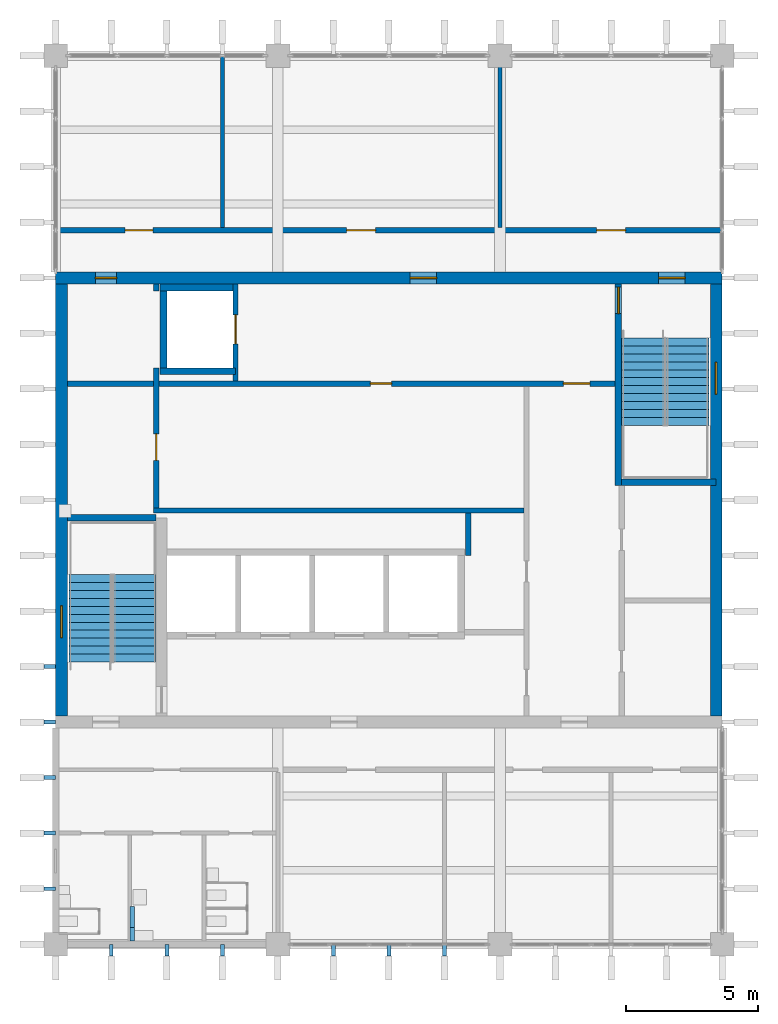
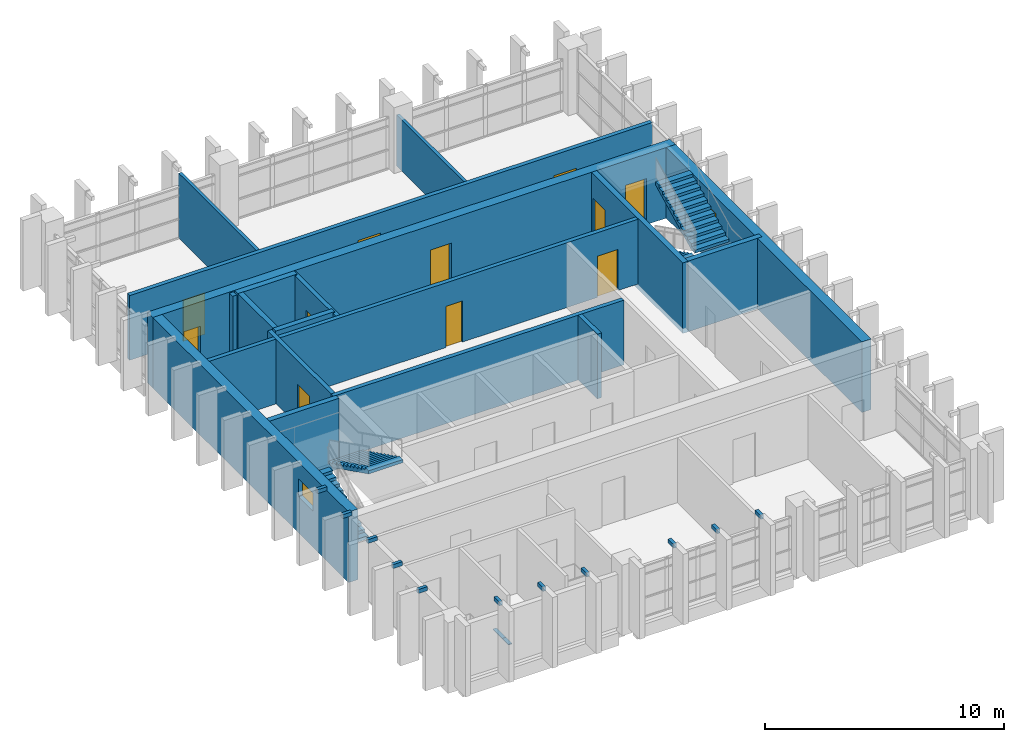
# One storey, part 8 of 11: 18 walls, 13 discrete accessories, 11 doors, 4 stair flights, 2 windows, 13 openings, 2 elements without a shape of their own.
"""IFC4 building model written with IfcOpenShell, lengths in metres."""

from ifc_helpers import new_model, si_unit, direction, frame, frame_2d, origin, origin_2d, place, context, subcontext, project, spatial, polyline, rectangle, outline, extrude, material, layer, layer_set, type_object, element, fill, aggregate, save


model = new_model("IFC4")

# Units and contexts
model_context = context("Model", 3, precision=1e-05, world=origin(), true_north=direction((0.0, 1.0)))
body_context = subcontext(model_context, "Body", "Model", "MODEL_VIEW")
ifc_project = project(units=[si_unit("LENGTHUNIT", "METRE"), si_unit("AREAUNIT", "SQUARE_METRE"), si_unit("VOLUMEUNIT", "CUBIC_METRE"), si_unit("PLANEANGLEUNIT", "RADIAN"), si_unit("MASSUNIT", "GRAM", prefix="KILO")], contexts=[model_context])

# Site, building, storey
site_placement = place(None, origin())
site = spatial("IfcSite", under=ifc_project, at=site_placement, CompositionType="ELEMENT")
building_placement = place(site_placement, origin())
building = spatial("IfcBuilding", under=site, at=building_placement, Name="Rulbaag Community and Learning Centre", CompositionType="ELEMENT")
storey_placement = place(building_placement, frame((0.0, 0.0, 32.39990234375)))
storey = spatial("IfcBuildingStorey", under=building, at=storey_placement, Name="L08", CompositionType="ELEMENT", Elevation=32.39990234375)

# Wall
ifc_material_1 = material(Name="Concrete blockwork", Category="masonry")
ifc_layer_1 = layer(ifc_material_1, 0.199951171875)
ifc_layer_set_1 = layer_set([ifc_layer_1], Name="FW-200 FIRE WALL 200")
wall_type_1 = type_object("IfcWallType", Name="FW-200 FIRE WALL 200", PredefinedType="SOLIDWALL", material=ifc_layer_set_1)
wall_1_placement = place(storey_placement, frame((146.5, 100.39990234375, 0.0), z_axis=(0.0, 0.0, 1.0), x_axis=(1.0, 0.0, 0.0)))
element("IfcWall", 1, at=wall_1_placement, inside=storey, type_object=wall_type_1, Name="Fire wall L08 8", PredefinedType="SOLIDWALL", context=body_context, shape_type="SweptSolid", body=[
    extrude(rectangle(XDim=14.0, YDim=0.199951171875, at=frame_2d((7.0, 0.0))), origin(), (0.0, 0.0, 1.0), 3.300048828125),
])

# Wall, openings, doors
wall_2_placement = place(storey_placement, frame((143.25, 105.199951171875, 0.0), z_axis=(0.0, 0.0, 1.0), x_axis=(1.0, 0.0, 0.0)))
wall_2 = element("IfcWall", 2, at=wall_2_placement, inside=storey, type_object=wall_type_1, Name="Fire wall L08 9", PredefinedType="SOLIDWALL", context=body_context, shape_type="SweptSolid", body=[
    extrude(rectangle(XDim=20.699951171875, YDim=0.199951171875, at=frame_2d((10.35009765625, 0.0))), origin(), (0.0, 0.0, 1.0), 3.300048828125),
])
opening_1_placement = place(wall_2_placement, frame((11.449951171875, 0.0, 0.0)))
opening_1 = element("IfcOpeningElement", 3, at=opening_1_placement, cuts=wall_2, Name="Opening L08-D020", PredefinedType="OPENING", context=body_context, shape_type="SweptSolid", body=[
    extrude(rectangle(XDim=0.800048828125, YDim=2.10009765625, at=frame_2d((0.39990234375, 1.050048828125))), frame((0.0, 0.10986328125, 0.0), z_axis=(0.0, -1.0, 0.0), x_axis=(1.0, 0.0, 0.0)), (0.0, 0.0, 1.0), 0.219970703125),
])
opening_2_placement = place(wall_2_placement, frame((18.75, 0.0, 0.0)))
opening_2 = element("IfcOpeningElement", 4, at=opening_2_placement, cuts=wall_2, Name="Opening L08-D027", PredefinedType="OPENING", context=body_context, shape_type="SweptSolid", body=[
    extrude(rectangle(XDim=1.0, YDim=2.10009765625, at=frame_2d((0.5, 1.050048828125))), frame((0.0, 0.10986328125, 0.0), z_axis=(0.0, -1.0, 0.0), x_axis=(1.0, 0.0, 0.0)), (0.0, 0.0, 1.0), 0.219970703125),
])
ifc_material_2 = material(Name="Galvanised steel", Category="steel")
door_type_1 = type_object("IfcDoorType", Name="FD-1000 FIRE DOOR 1000 x 2100", OperationType="SINGLE_SWING_LEFT", PredefinedType="DOOR", material=ifc_material_2)
door_1_placement = place(opening_2_placement, origin())
door_1 = element("IfcDoor", 5, at=door_1_placement, inside=storey, type_object=door_type_1, Name="Door L08-D027", OperationType="SINGLE_SWING_LEFT", OverallHeight=2.10009765625, OverallWidth=1.0, PredefinedType="DOOR", context=body_context, shape_type="SweptSolid", body=[
    extrude(rectangle(XDim=1.0, YDim=2.10009765625, at=frame_2d((0.5, 1.050048828125))), frame((0.0, 0.02490234375, 0.0), z_axis=(0.0, -1.0, 0.0), x_axis=(1.0, 0.0, 0.0)), (0.0, 0.0, 1.0), 0.050048828125),
])
fill(opening_2, door_1)
door_type_2 = type_object("IfcDoorType", Name="FDR-800 RISER FIRE DOOR 800 x 2100", OperationType="SINGLE_SWING_LEFT", PredefinedType="DOOR", material=ifc_material_2)
door_2_placement = place(opening_1_placement, origin())
door_2 = element("IfcDoor", 6, at=door_2_placement, inside=storey, type_object=door_type_2, Name="Riser door L08-D022", OperationType="SINGLE_SWING_RIGHT", OverallHeight=2.10009765625, OverallWidth=0.800048828125, PredefinedType="DOOR", context=body_context, shape_type="SweptSolid", body=[
    extrude(rectangle(XDim=0.800048828125, YDim=2.10009765625, at=frame_2d((0.39990234375, 1.050048828125))), frame((0.0, 0.02490234375, 0.0), z_axis=(0.0, -1.0, 0.0), x_axis=(1.0, 0.0, 0.0)), (0.0, 0.0, 1.0), 0.050048828125),
])
fill(opening_1, door_2)

wall_3_placement = place(storey_placement, frame((142.800048828125, 111.0, 0.0), z_axis=(0.0, 0.0, 1.0), x_axis=(1.0, 0.0, 0.0)))
wall_3 = element("IfcWall", 7, at=wall_3_placement, inside=storey, type_object=wall_type_1, Name="Fire wall L08 10", PredefinedType="SOLIDWALL", context=body_context, shape_type="SweptSolid", body=[
    extrude(rectangle(XDim=25.199951171875, YDim=0.199951171875, at=frame_2d((12.60009765625, 0.0))), origin(), (0.0, 0.0, 1.0), 3.300048828125),
])
opening_3_placement = place(wall_3_placement, frame((2.625, 0.0, 0.0)))
opening_3 = element("IfcOpeningElement", 8, at=opening_3_placement, cuts=wall_3, Name="Opening L08-D005", PredefinedType="OPENING", context=body_context, shape_type="SweptSolid", body=[
    extrude(rectangle(XDim=1.050048828125, YDim=2.10009765625, at=frame_2d((0.52490234375, 1.050048828125))), frame((0.0, 0.10986328125, 0.0), z_axis=(0.0, -1.0, 0.0), x_axis=(1.0, 0.0, 0.0)), (0.0, 0.0, 1.0), 0.219970703125),
])
opening_4_placement = place(wall_3_placement, frame((11.0, 0.0, 0.0)))
opening_4 = element("IfcOpeningElement", 9, at=opening_4_placement, cuts=wall_3, Name="Opening L08-D019", PredefinedType="OPENING", context=body_context, shape_type="SweptSolid", body=[
    extrude(rectangle(XDim=1.10009765625, YDim=2.25, at=frame_2d((0.550048828125, 1.125))), frame((0.0, 0.10986328125, 0.0), z_axis=(0.0, -1.0, 0.0), x_axis=(1.0, 0.0, 0.0)), (0.0, 0.0, 1.0), 0.219970703125),
])
opening_5_placement = place(wall_3_placement, frame((20.449951171875, 0.0, 0.0)))
opening_5 = element("IfcOpeningElement", 10, at=opening_5_placement, cuts=wall_3, Name="Opening L08-D028", PredefinedType="OPENING", context=body_context, shape_type="SweptSolid", body=[
    extrude(rectangle(XDim=1.10009765625, YDim=2.25, at=frame_2d((0.550048828125, 1.125))), frame((0.0, 0.10986328125, 0.0), z_axis=(0.0, -1.0, 0.0), x_axis=(1.0, 0.0, 0.0)), (0.0, 0.0, 1.0), 0.219970703125),
])
ifc_material_3 = material(Name="Timber", Category="wood")
door_type_3 = type_object("IfcDoorType", Name="D-1100 OFFICE SUITE ENTRANCE DOOR 1100 x 2250", OperationType="SINGLE_SWING_LEFT", PredefinedType="DOOR", material=ifc_material_3)
door_3_placement = place(opening_4_placement, origin())
door_3 = element("IfcDoor", 11, at=door_3_placement, inside=storey, type_object=door_type_3, Name="Door L08-D019", OperationType="SINGLE_SWING_RIGHT", OverallHeight=2.25, OverallWidth=1.10009765625, PredefinedType="DOOR", context=body_context, shape_type="SweptSolid", body=[
    extrude(rectangle(XDim=1.10009765625, YDim=2.25, at=frame_2d((0.550048828125, 1.125))), frame((0.0, 0.02490234375, 0.0), z_axis=(0.0, -1.0, 0.0), x_axis=(1.0, 0.0, 0.0)), (0.0, 0.0, 1.0), 0.050048828125),
])
fill(opening_4, door_3)
door_4_placement = place(opening_5_placement, origin())
door_4 = element("IfcDoor", 12, at=door_4_placement, inside=storey, type_object=door_type_3, Name="Door L08-D028", OperationType="SINGLE_SWING_LEFT", OverallHeight=2.25, OverallWidth=1.10009765625, PredefinedType="DOOR", context=body_context, shape_type="SweptSolid", body=[
    extrude(rectangle(XDim=1.10009765625, YDim=2.25, at=frame_2d((0.550048828125, 1.125))), frame((0.0, 0.02490234375, 0.0), z_axis=(0.0, -1.0, 0.0), x_axis=(1.0, 0.0, 0.0)), (0.0, 0.0, 1.0), 0.050048828125),
])
fill(opening_5, door_4)
door_type_4 = type_object("IfcDoorType", Name="FD-1050 GLAZED MEETING ROOM FIRE DOOR 1050 x 2100", OperationType="SINGLE_SWING_LEFT", PredefinedType="DOOR", material=ifc_material_3)
door_5_placement = place(opening_3_placement, origin())
door_5 = element("IfcDoor", 13, at=door_5_placement, inside=storey, type_object=door_type_4, Name="Door L08-D005", OperationType="SINGLE_SWING_RIGHT", OverallHeight=2.10009765625, OverallWidth=1.050048828125, PredefinedType="DOOR", context=body_context, shape_type="SweptSolid", body=[
    extrude(rectangle(XDim=1.050048828125, YDim=2.10009765625, at=frame_2d((0.52490234375, 1.050048828125))), frame((0.0, 0.02490234375, 0.0), z_axis=(0.0, -1.0, 0.0), x_axis=(1.0, 0.0, 0.0)), (0.0, 0.0, 1.0), 0.050048828125),
])
fill(opening_3, door_5)

# Wall, opening, door
wall_4_placement = place(storey_placement, frame((146.60009765625, 100.5, 0.0), z_axis=(0.0, 0.0, 1.0), x_axis=(0.0, 1.0, 0.0)))
wall_4 = element("IfcWall", 14, at=wall_4_placement, inside=storey, type_object=wall_type_1, Name="Fire wall L08 12", PredefinedType="SOLIDWALL", context=body_context, shape_type="SweptSolid", body=[
    extrude(rectangle(XDim=5.300048828125, YDim=0.199951171875, at=frame_2d((2.64990234375, 0.0))), origin(), (0.0, 0.0, 1.0), 3.300048828125),
])
opening_6_placement = place(wall_4_placement, frame((1.800048828125, 0.0, 0.0)))
opening_6 = element("IfcOpeningElement", 15, at=opening_6_placement, cuts=wall_4, Name="Opening L08-D006", PredefinedType="OPENING", context=body_context, shape_type="SweptSolid", body=[
    extrude(rectangle(XDim=1.0, YDim=2.10009765625, at=frame_2d((0.5, 1.050048828125))), frame((0.0, 0.10986328125, 0.0), z_axis=(0.0, -1.0, 0.0), x_axis=(1.0, 0.0, 0.0)), (0.0, 0.0, 1.0), 0.219970703125),
])
door_6_placement = place(opening_6_placement, origin())
door_6 = element("IfcDoor", 16, at=door_6_placement, inside=storey, type_object=door_type_1, Name="Door L08-D006", OperationType="SINGLE_SWING_LEFT", OverallHeight=2.10009765625, OverallWidth=1.0, PredefinedType="DOOR", context=body_context, shape_type="SweptSolid", body=[
    extrude(rectangle(XDim=1.0, YDim=2.10009765625, at=frame_2d((0.5, 1.050048828125))), frame((0.0, 0.02490234375, 0.0), z_axis=(0.0, -1.0, 0.0), x_axis=(1.0, 0.0, 0.0)), (0.0, 0.0, 1.0), 0.050048828125),
])
fill(opening_6, door_6)

# Wall
wall_5_placement = place(storey_placement, frame((146.60009765625, 108.699951171875, 0.0), z_axis=(0.0, 0.0, 1.0), x_axis=(0.0, 1.0, 0.0)))
element("IfcWall", 17, at=wall_5_placement, inside=storey, type_object=wall_type_1, Name="Fire wall L08 13", PredefinedType="SOLIDWALL", context=body_context, shape_type="SweptSolid", body=[
    extrude(rectangle(XDim=0.275146484375, YDim=0.199951171875, at=frame_2d((0.1376953125, 0.0))), origin(), (0.0, 0.0, 1.0), 3.300048828125),
])

# Wall, opening, door
wall_6_placement = place(storey_placement, frame((149.60009765625, 105.300048828125, 0.0), z_axis=(0.0, 0.0, 1.0), x_axis=(0.0, 1.0, 0.0)))
wall_6 = element("IfcWall", 18, at=wall_6_placement, inside=storey, type_object=wall_type_1, Name="Fire wall L08 16", PredefinedType="SOLIDWALL", context=body_context, shape_type="SweptSolid", body=[
    extrude(rectangle(XDim=3.675048828125, YDim=0.199951171875, at=frame_2d((1.83740234375, 0.0))), origin(), (0.0, 0.0, 1.0), 3.300048828125),
])
opening_7_placement = place(wall_6_placement, frame((1.39990234375, 0.0, 0.0)))
opening_7 = element("IfcOpeningElement", 19, at=opening_7_placement, cuts=wall_6, Name="Opening L08-D011", PredefinedType="OPENING", context=body_context, shape_type="SweptSolid", body=[
    extrude(rectangle(XDim=1.10009765625, YDim=2.10009765625, at=frame_2d((0.550048828125, 1.050048828125))), frame((0.0, 0.10986328125, 0.0), z_axis=(0.0, -1.0, 0.0), x_axis=(1.0, 0.0, 0.0)), (0.0, 0.0, 1.0), 0.219970703125),
])
ifc_material_4 = material(Name="Stainless steel grade 304", Category="steel")
door_type_5 = type_object("IfcDoorType", Name="LD-1100 LIFT LANDING DOOR 1100 x 2100", OperationType="SLIDING_TO_LEFT", PredefinedType="DOOR", material=ifc_material_4)
door_7_placement = place(opening_7_placement, origin())
door_7 = element("IfcDoor", 20, at=door_7_placement, inside=storey, type_object=door_type_5, Name="Lift landing door LF1 L08", OperationType="SLIDING_TO_LEFT", OverallHeight=2.10009765625, OverallWidth=1.10009765625, PredefinedType="DOOR", context=body_context, shape_type="SweptSolid", body=[
    extrude(rectangle(XDim=1.10009765625, YDim=2.10009765625, at=frame_2d((0.550048828125, 1.050048828125))), frame((0.0, 0.02490234375, 0.0), z_axis=(0.0, -1.0, 0.0), x_axis=(1.0, 0.0, 0.0)), (0.0, 0.0, 1.0), 0.050048828125),
])
fill(opening_7, door_7)

# Walls
wall_7_placement = place(storey_placement, frame((158.39990234375, 98.699951171875, 0.0), z_axis=(0.0, 0.0, 1.0), x_axis=(0.0, 1.0, 0.0)))
element("IfcWall", 21, at=wall_7_placement, inside=storey, type_object=wall_type_1, Name="Fire wall L08 19", PredefinedType="SOLIDWALL", context=body_context, shape_type="SweptSolid", body=[
    extrude(rectangle(XDim=1.60009765625, YDim=0.199951171875, at=frame_2d((0.800048828125, 0.0))), origin(), (0.0, 0.0, 1.0), 3.300048828125),
])
ifc_layer_2 = layer(ifc_material_1, 0.14990234375)
ifc_layer_set_2 = layer_set([ifc_layer_2], Name="IP-150 PARTITION 150")
wall_type_2 = type_object("IfcWallType", Name="IP-150 PARTITION 150", PredefinedType="PARTITIONING", material=ifc_layer_set_2)
wall_8_placement = place(storey_placement, frame((149.10009765625, 111.10009765625, 0.0), z_axis=(0.0, 0.0, 1.0), x_axis=(0.0, 1.0, 0.0)))
element("IfcWall", 22, at=wall_8_placement, inside=storey, type_object=wall_type_2, Name="Partition L08 15", PredefinedType="PARTITIONING", context=body_context, shape_type="SweptSolid", body=[
    extrude(rectangle(XDim=6.5, YDim=0.14990234375, at=frame_2d((3.25, 0.0))), origin(), (0.0, 0.0, 1.0), 3.300048828125),
])
wall_9_placement = place(storey_placement, frame((159.60009765625, 111.10009765625, 0.0), z_axis=(0.0, 0.0, 1.0), x_axis=(0.0, 1.0, 0.0)))
element("IfcWall", 23, at=wall_9_placement, inside=storey, type_object=wall_type_2, Name="Partition L08 20", PredefinedType="PARTITIONING", context=body_context, shape_type="SweptSolid", body=[
    extrude(rectangle(XDim=6.5, YDim=0.14990234375, at=frame_2d((3.25, 0.0))), origin(), (0.0, 0.0, 1.0), 2.60009765625),
])

# Wall, openings, doors
ifc_material_5 = material(Name="Concrete M60", Category="concrete")
ifc_layer_3 = layer(ifc_material_5, 0.449951171875)
ifc_layer_set_3 = layer_set([ifc_layer_3], Name="W1 Core wall 450 Concrete M60")
wall_type_3 = type_object("IfcWallType", Name="W1 Core wall 450 Concrete M60", PredefinedType="SHEAR", material=ifc_layer_set_3)
wall_10_placement = place(storey_placement, frame((142.800048828125, 109.199951171875, -0.25), z_axis=(0.0, 0.0, 1.0), x_axis=(1.0, 0.0, 0.0)))
wall_10 = element("IfcWall", 24, at=wall_10_placement, inside=storey, type_object=wall_type_3, Name="WL-CORE-N-L08", PredefinedType="SHEAR", context=body_context, shape_type="SweptSolid", body=[
    extrude(rectangle(XDim=25.199951171875, YDim=0.449951171875, at=frame_2d((12.60009765625, 0.0))), origin(), (0.0, 0.0, 1.0), 3.60009765625),
])
opening_8_placement = place(wall_10_placement, frame((22.800048828125, 0.0, 0.25)))
opening_8 = element("IfcOpeningElement", 25, at=opening_8_placement, cuts=wall_10, Name="Opening L08-D033", PredefinedType="OPENING", context=body_context, shape_type="SweptSolid", body=[
    extrude(rectangle(XDim=1.0, YDim=2.10009765625, at=frame_2d((0.5, 1.050048828125))), frame((0.0, 0.23486328125, 0.0), z_axis=(0.0, -1.0, 0.0), x_axis=(1.0, 0.0, 0.0)), (0.0, 0.0, 1.0), 0.469970703125),
])
opening_9_placement = place(wall_10_placement, frame((1.5, 0.0, 0.25)))
opening_9 = element("IfcOpeningElement", 26, at=opening_9_placement, cuts=wall_10, Name="Opening L08-D004", PredefinedType="OPENING", context=body_context, shape_type="SweptSolid", body=[
    extrude(rectangle(XDim=0.800048828125, YDim=2.10009765625, at=frame_2d((0.39990234375, 1.050048828125))), frame((0.0, 0.23486328125, 0.0), z_axis=(0.0, -1.0, 0.0), x_axis=(1.0, 0.0, 0.0)), (0.0, 0.0, 1.0), 0.469970703125),
])
opening_10_placement = place(wall_10_placement, frame((13.39990234375, 0.0, 0.25)))
opening_10 = element("IfcOpeningElement", 27, at=opening_10_placement, cuts=wall_10, Name="Opening L08-D022", PredefinedType="OPENING", context=body_context, shape_type="SweptSolid", body=[
    extrude(rectangle(XDim=1.0, YDim=2.10009765625, at=frame_2d((0.5, 1.050048828125))), frame((0.0, 0.23486328125, 0.0), z_axis=(0.0, -1.0, 0.0), x_axis=(1.0, 0.0, 0.0)), (0.0, 0.0, 1.0), 0.469970703125),
])
door_8_placement = place(opening_8_placement, origin())
door_8 = element("IfcDoor", 28, at=door_8_placement, inside=storey, type_object=door_type_1, Name="Door L08-D033", OperationType="SINGLE_SWING_LEFT", OverallHeight=2.10009765625, OverallWidth=1.0, PredefinedType="DOOR", context=body_context, shape_type="SweptSolid", body=[
    extrude(rectangle(XDim=1.0, YDim=2.10009765625, at=frame_2d((0.5, 1.050048828125))), frame((0.0, 0.02490234375, 0.0), z_axis=(0.0, -1.0, 0.0), x_axis=(1.0, 0.0, 0.0)), (0.0, 0.0, 1.0), 0.050048828125),
])
fill(opening_8, door_8)
door_9_placement = place(opening_10_placement, origin())
door_9 = element("IfcDoor", 29, at=door_9_placement, inside=storey, type_object=door_type_1, Name="Door L08-D022", OperationType="SINGLE_SWING_LEFT", OverallHeight=2.10009765625, OverallWidth=1.0, PredefinedType="DOOR", context=body_context, shape_type="SweptSolid", body=[
    extrude(rectangle(XDim=1.0, YDim=2.10009765625, at=frame_2d((0.5, 1.050048828125))), frame((0.0, 0.02490234375, 0.0), z_axis=(0.0, -1.0, 0.0), x_axis=(1.0, 0.0, 0.0)), (0.0, 0.0, 1.0), 0.050048828125),
])
fill(opening_10, door_9)
door_10_placement = place(opening_9_placement, origin())
door_10 = element("IfcDoor", 30, at=door_10_placement, inside=storey, type_object=door_type_2, Name="Riser door L08-D024", OperationType="SINGLE_SWING_LEFT", OverallHeight=2.10009765625, OverallWidth=0.800048828125, PredefinedType="DOOR", context=body_context, shape_type="SweptSolid", body=[
    extrude(rectangle(XDim=0.800048828125, YDim=2.10009765625, at=frame_2d((0.39990234375, 1.050048828125))), frame((0.0, 0.02490234375, 0.0), z_axis=(0.0, -1.0, 0.0), x_axis=(1.0, 0.0, 0.0)), (0.0, 0.0, 1.0), 0.050048828125),
])
fill(opening_9, door_10)

# Wall, opening, window
wall_11_placement = place(storey_placement, frame((143.02490234375, 92.625, -0.25), z_axis=(0.0, 0.0, 1.0), x_axis=(0.0, 1.0, 0.0)))
wall_11 = element("IfcWall", 31, at=wall_11_placement, inside=storey, type_object=wall_type_3, Name="WL-CORE-W-L08", PredefinedType="SHEAR", context=body_context, shape_type="SweptSolid", body=[
    extrude(rectangle(XDim=16.35009765625, YDim=0.449951171875, at=frame_2d((8.175048828125, 0.0))), origin(), (0.0, 0.0, 1.0), 3.60009765625),
])
opening_11_placement = place(wall_11_placement, frame((2.97509765625, 0.0, 1.85009765625)))
opening_11 = element("IfcOpeningElement", 32, at=opening_11_placement, cuts=wall_11, Name="Opening WN19", PredefinedType="OPENING", context=body_context, shape_type="SweptSolid", body=[
    extrude(rectangle(XDim=1.199951171875, YDim=0.89990234375, at=frame_2d((0.60009765625, 0.449951171875))), frame((0.0, 0.23486328125, 0.0), z_axis=(0.0, -1.0, 0.0), x_axis=(1.0, 0.0, 0.0)), (0.0, 0.0, 1.0), 0.469970703125),
])
ifc_material_6 = material(Name="Aluminium", Category="aluminium")
window_type = type_object("IfcWindowType", Name="WS-12", PartitioningType="SINGLE_PANEL", PredefinedType="WINDOW", material=ifc_material_6)
window_1_placement = place(opening_11_placement, origin())
window_1 = element("IfcWindow", 33, at=window_1_placement, inside=storey, type_object=window_type, Name="Stair window", OverallHeight=0.89990234375, OverallWidth=1.199951171875, PartitioningType="SINGLE_PANEL", PredefinedType="WINDOW", context=body_context, shape_type="SweptSolid", body=[
    extrude(rectangle(XDim=1.199951171875, YDim=0.89990234375, at=frame_2d((0.60009765625, 0.449951171875))), frame((0.0, 0.030029296875, 0.0), z_axis=(0.0, -1.0, 0.0), x_axis=(1.0, 0.0, 0.0)), (0.0, 0.0, 1.0), 0.06005859375),
])
fill(opening_11, window_1)

wall_12_placement = place(storey_placement, frame((167.77490234375, 92.625, -0.25), z_axis=(0.0, 0.0, 1.0), x_axis=(0.0, 1.0, 0.0)))
wall_12 = element("IfcWall", 34, at=wall_12_placement, inside=storey, type_object=wall_type_3, Name="WL-CORE-E-L08", PredefinedType="SHEAR", context=body_context, shape_type="SweptSolid", body=[
    extrude(rectangle(XDim=16.35009765625, YDim=0.449951171875, at=frame_2d((8.175048828125, 0.0))), origin(), (0.0, 0.0, 1.0), 3.60009765625),
])
opening_12_placement = place(wall_12_placement, frame((12.175048828125, 0.0, 1.85009765625)))
opening_12 = element("IfcOpeningElement", 35, at=opening_12_placement, cuts=wall_12, Name="Opening WN19", PredefinedType="OPENING", context=body_context, shape_type="SweptSolid", body=[
    extrude(rectangle(XDim=1.199951171875, YDim=0.89990234375, at=frame_2d((0.60009765625, 0.449951171875))), frame((0.0, 0.23486328125, 0.0), z_axis=(0.0, -1.0, 0.0), x_axis=(1.0, 0.0, 0.0)), (0.0, 0.0, 1.0), 0.469970703125),
])
window_2_placement = place(opening_12_placement, origin())
window_2 = element("IfcWindow", 36, at=window_2_placement, inside=storey, type_object=window_type, Name="Stair window", OverallHeight=0.89990234375, OverallWidth=1.199951171875, PartitioningType="SINGLE_PANEL", PredefinedType="WINDOW", context=body_context, shape_type="SweptSolid", body=[
    extrude(rectangle(XDim=1.199951171875, YDim=0.89990234375, at=frame_2d((0.60009765625, 0.449951171875))), frame((0.0, 0.030029296875, 0.0), z_axis=(0.0, -1.0, 0.0), x_axis=(1.0, 0.0, 0.0)), (0.0, 0.0, 1.0), 0.06005859375),
])
fill(opening_12, window_2)

# Walls
ifc_material_7 = material(Name="Concrete M40", Category="concrete")
ifc_layer_4 = layer(ifc_material_7, 0.27490234375)
ifc_layer_set_4 = layer_set([ifc_layer_4], Name="W16 Shaft wall 275 Concrete M40")
wall_type_4 = type_object("IfcWallType", Name="W16 Shaft wall 275 Concrete M40", PredefinedType="SHEAR", material=ifc_layer_set_4)
wall_13_placement = place(storey_placement, frame((146.75, 108.83740234375, -0.25), z_axis=(0.0, 0.0, 1.0), x_axis=(1.0, 0.0, 0.0)))
element("IfcWall", 37, at=wall_13_placement, inside=storey, type_object=wall_type_4, Name="WL-LF-N-L08", PredefinedType="SHEAR", context=body_context, shape_type="SweptSolid", body=[
    extrude(rectangle(XDim=2.85009765625, YDim=0.27490234375, at=frame_2d((1.425048828125, 0.0))), origin(), (0.0, 0.0, 1.0), 3.60009765625),
])
ifc_layer_5 = layer(ifc_material_7, 0.25)
ifc_layer_set_5 = layer_set([ifc_layer_5], Name="W5 Shaft wall 250 Concrete M40")
wall_type_5 = type_object("IfcWallType", Name="W5 Shaft wall 250 Concrete M40", PredefinedType="SHEAR", material=ifc_layer_set_5)
wall_14_placement = place(storey_placement, frame((143.25, 100.125, -0.25), z_axis=(0.0, 0.0, 1.0), x_axis=(1.0, 0.0, 0.0)))
element("IfcWall", 38, at=wall_14_placement, inside=storey, type_object=wall_type_5, Name="WL-ST1-N-L08", PredefinedType="SHEAR", context=body_context, shape_type="SweptSolid", body=[
    extrude(rectangle(XDim=3.35009765625, YDim=0.25, at=frame_2d((1.675048828125, 0.0))), origin(), (0.0, 0.0, 1.0), 3.60009765625),
])

# Wall, opening, door
wall_15_placement = place(storey_placement, frame((164.074951171875, 101.35009765625, -0.25), z_axis=(0.0, 0.0, 1.0), x_axis=(0.0, 1.0, 0.0)))
wall_15 = element("IfcWall", 39, at=wall_15_placement, inside=storey, type_object=wall_type_5, Name="WL-ST2-W-L08", PredefinedType="SHEAR", context=body_context, shape_type="SweptSolid", body=[
    extrude(rectangle(XDim=7.625, YDim=0.25, at=frame_2d((3.8125, 0.0))), origin(), (0.0, 0.0, 1.0), 3.60009765625),
])
opening_13_placement = place(wall_15_placement, frame((6.5, 0.0, 0.25)))
opening_13 = element("IfcOpeningElement", 40, at=opening_13_placement, cuts=wall_15, Name="Opening L08-D029", PredefinedType="OPENING", context=body_context, shape_type="SweptSolid", body=[
    extrude(rectangle(XDim=1.0, YDim=2.10009765625, at=frame_2d((0.5, 1.050048828125))), frame((0.0, 0.135009765625, 0.0), z_axis=(0.0, -1.0, 0.0), x_axis=(1.0, 0.0, 0.0)), (0.0, 0.0, 1.0), 0.27001953125),
])
door_11_placement = place(opening_13_placement, origin())
door_11 = element("IfcDoor", 41, at=door_11_placement, inside=storey, type_object=door_type_1, Name="Door L08-D029", OperationType="SINGLE_SWING_LEFT", OverallHeight=2.10009765625, OverallWidth=1.0, PredefinedType="DOOR", context=body_context, shape_type="SweptSolid", body=[
    extrude(rectangle(XDim=1.0, YDim=2.10009765625, at=frame_2d((0.5, 1.050048828125))), frame((0.0, 0.02490234375, 0.0), z_axis=(0.0, -1.0, 0.0), x_axis=(1.0, 0.0, 0.0)), (0.0, 0.0, 1.0), 0.050048828125),
])
fill(opening_13, door_11)

# Walls
wall_16_placement = place(storey_placement, frame((164.199951171875, 101.47509765625, -0.25), z_axis=(0.0, 0.0, 1.0), x_axis=(1.0, 0.0, 0.0)))
element("IfcWall", 42, at=wall_16_placement, inside=storey, type_object=wall_type_5, Name="WL-ST2-S-L08", PredefinedType="SHEAR", context=body_context, shape_type="SweptSolid", body=[
    extrude(rectangle(XDim=3.574951171875, YDim=0.25, at=frame_2d((1.78759765625, 0.0))), origin(), (0.0, 0.0, 1.0), 3.60009765625),
])
wall_17_placement = place(storey_placement, frame((146.75, 105.675048828125, -0.25), z_axis=(0.0, 0.0, 1.0), x_axis=(1.0, 0.0, 0.0)))
element("IfcWall", 43, at=wall_17_placement, inside=storey, type_object=wall_type_5, Name="WL-LF-S-L08", PredefinedType="SHEAR", context=body_context, shape_type="SweptSolid", body=[
    extrude(rectangle(XDim=2.85009765625, YDim=0.25, at=frame_2d((1.425048828125, 0.0))), origin(), (0.0, 0.0, 1.0), 3.60009765625),
])
wall_18_placement = place(storey_placement, frame((146.875, 105.800048828125, -0.25), z_axis=(0.0, 0.0, 1.0), x_axis=(0.0, 1.0, 0.0)))
element("IfcWall", 44, at=wall_18_placement, inside=storey, type_object=wall_type_5, Name="WL-LF-W-L08", PredefinedType="SHEAR", context=body_context, shape_type="SweptSolid", body=[
    extrude(rectangle(XDim=2.89990234375, YDim=0.25, at=frame_2d((1.449951171875, 0.0))), origin(), (0.0, 0.0, 1.0), 3.60009765625),
])

# Stair, stair flights
stair_type = type_object("IfcStairType", Name="ST-1650 STAIR 1650 WIDE", PredefinedType="HALF_TURN_STAIR", material=ifc_material_7)
stair_1_placement = place(storey_placement, origin())
stair_1 = element("IfcStair", 45, at=stair_1_placement, inside=storey, type_object=stair_type, Name="Stair ST1 L08", PredefinedType="HALF_TURN_STAIR")
stair_flight_type = type_object("IfcStairFlightType", Name="FL-1650 FLIGHT 1650 WIDE Concrete M40", PredefinedType="STRAIGHT", material=ifc_material_7)
stair_flight_1_placement = place(storey_placement, frame((144.125, 94.675048828125, 0.0), z_axis=(0.0, 0.0, 1.0), x_axis=(0.0, 1.0, 0.0)))
stair_flight_1 = element("IfcStairFlight", 46, at=stair_flight_1_placement, type_object=stair_flight_type, Name="ST1 flight 1", NumberOfRisers=12, NumberOfTreads=11, PredefinedType="STRAIGHT", RiserHeight=0.15, TreadLength=0.3, context=body_context, shape_type="SweptSolid", body=[
    extrude(outline(polyline([(0.0, 0.0), (0.0, 0.14990234375), (0.300048828125, 0.14990234375), (0.300048828125, 0.300048828125), (0.60009765625, 0.300048828125), (0.60009765625, 0.449951171875), (0.89990234375, 0.449951171875), (0.89990234375, 0.60009765625), (1.199951171875, 0.60009765625), (1.199951171875, 0.75), (1.5, 0.75), (1.5, 0.89990234375), (1.800048828125, 0.89990234375), (1.800048828125, 1.050048828125), (2.10009765625, 1.050048828125), (2.10009765625, 1.199951171875), (2.39990234375, 1.199951171875), (2.39990234375, 1.35009765625), (2.699951171875, 1.35009765625), (2.699951171875, 1.5), (3.0, 1.5), (3.0, 1.64990234375), (3.300048828125, 1.64990234375), (3.300048828125, 1.49365234375), (0.312744140625, 0.0), (0.0, 0.0)])), frame((0.0, 0.824951171875, 0.0), z_axis=(0.0, -1.0, 0.0), x_axis=(1.0, 0.0, 0.0)), (0.0, 0.0, 1.0), 1.64990234375),
])
stair_flight_2_placement = place(storey_placement, frame((145.77490234375, 97.97509765625, 1.800048828125), z_axis=(0.0, 0.0, 1.0), x_axis=(0.0, -1.0, 0.0)))
stair_flight_2 = element("IfcStairFlight", 47, at=stair_flight_2_placement, type_object=stair_flight_type, Name="ST1 flight 2", NumberOfRisers=12, NumberOfTreads=11, PredefinedType="STRAIGHT", RiserHeight=0.15, TreadLength=0.3, context=body_context, shape_type="SweptSolid", body=[
    extrude(outline(polyline([(0.0, 0.0), (0.0, 0.14990234375), (0.300048828125, 0.14990234375), (0.300048828125, 0.300048828125), (0.60009765625, 0.300048828125), (0.60009765625, 0.449951171875), (0.89990234375, 0.449951171875), (0.89990234375, 0.60009765625), (1.199951171875, 0.60009765625), (1.199951171875, 0.75), (1.5, 0.75), (1.5, 0.89990234375), (1.800048828125, 0.89990234375), (1.800048828125, 1.050048828125), (2.10009765625, 1.050048828125), (2.10009765625, 1.199951171875), (2.39990234375, 1.199951171875), (2.39990234375, 1.35009765625), (2.699951171875, 1.35009765625), (2.699951171875, 1.5), (3.0, 1.5), (3.0, 1.64990234375), (3.300048828125, 1.64990234375), (3.300048828125, 1.49365234375), (0.312744140625, 0.0), (0.0, 0.0)])), frame((0.0, 0.824951171875, 0.0), z_axis=(0.0, -1.0, 0.0), x_axis=(1.0, 0.0, 0.0)), (0.0, 0.0, 1.0), 1.64990234375),
])
aggregate(stair_1, [stair_flight_1, stair_flight_2])

stair_2_placement = place(storey_placement, origin())
stair_2 = element("IfcStair", 48, at=stair_2_placement, inside=storey, type_object=stair_type, Name="Stair ST2 L08", PredefinedType="HALF_TURN_STAIR")
stair_flight_3_placement = place(storey_placement, frame((165.02490234375, 106.925048828125, 0.0), z_axis=(0.0, 0.0, 1.0), x_axis=(0.0, -1.0, 0.0)))
stair_flight_3 = element("IfcStairFlight", 49, at=stair_flight_3_placement, type_object=stair_flight_type, Name="ST2 flight 1", NumberOfRisers=12, NumberOfTreads=11, PredefinedType="STRAIGHT", RiserHeight=0.15, TreadLength=0.3, context=body_context, shape_type="SweptSolid", body=[
    extrude(outline(polyline([(0.0, 0.0), (0.0, 0.14990234375), (0.300048828125, 0.14990234375), (0.300048828125, 0.300048828125), (0.60009765625, 0.300048828125), (0.60009765625, 0.449951171875), (0.89990234375, 0.449951171875), (0.89990234375, 0.60009765625), (1.199951171875, 0.60009765625), (1.199951171875, 0.75), (1.5, 0.75), (1.5, 0.89990234375), (1.800048828125, 0.89990234375), (1.800048828125, 1.050048828125), (2.10009765625, 1.050048828125), (2.10009765625, 1.199951171875), (2.39990234375, 1.199951171875), (2.39990234375, 1.35009765625), (2.699951171875, 1.35009765625), (2.699951171875, 1.5), (3.0, 1.5), (3.0, 1.64990234375), (3.300048828125, 1.64990234375), (3.300048828125, 1.49365234375), (0.312744140625, 0.0), (0.0, 0.0)])), frame((0.0, 0.824951171875, 0.0), z_axis=(0.0, -1.0, 0.0), x_axis=(1.0, 0.0, 0.0)), (0.0, 0.0, 1.0), 1.64990234375),
])
stair_flight_4_placement = place(storey_placement, frame((166.675048828125, 103.625, 1.800048828125), z_axis=(0.0, 0.0, 1.0), x_axis=(0.0, 1.0, 0.0)))
stair_flight_4 = element("IfcStairFlight", 50, at=stair_flight_4_placement, type_object=stair_flight_type, Name="ST2 flight 2", NumberOfRisers=12, NumberOfTreads=11, PredefinedType="STRAIGHT", RiserHeight=0.15, TreadLength=0.3, context=body_context, shape_type="SweptSolid", body=[
    extrude(outline(polyline([(0.0, 0.0), (0.0, 0.14990234375), (0.300048828125, 0.14990234375), (0.300048828125, 0.300048828125), (0.60009765625, 0.300048828125), (0.60009765625, 0.449951171875), (0.89990234375, 0.449951171875), (0.89990234375, 0.60009765625), (1.199951171875, 0.60009765625), (1.199951171875, 0.75), (1.5, 0.75), (1.5, 0.89990234375), (1.800048828125, 0.89990234375), (1.800048828125, 1.050048828125), (2.10009765625, 1.050048828125), (2.10009765625, 1.199951171875), (2.39990234375, 1.199951171875), (2.39990234375, 1.35009765625), (2.699951171875, 1.35009765625), (2.699951171875, 1.5), (3.0, 1.5), (3.0, 1.64990234375), (3.300048828125, 1.64990234375), (3.300048828125, 1.49365234375), (0.312744140625, 0.0), (0.0, 0.0)])), frame((0.0, 0.824951171875, 0.0), z_axis=(0.0, -1.0, 0.0), x_axis=(1.0, 0.0, 0.0)), (0.0, 0.0, 1.0), 1.64990234375),
])
aggregate(stair_2, [stair_flight_3, stair_flight_4])

# Discrete accessories
ifc_material_8 = material(Name="Steel E350", Category="steel")
discrete_accessory_type_1 = type_object("IfcDiscreteAccessoryType", Name="BR-FN", PredefinedType="BRACKET", material=ifc_material_8)
for number, where, z_axis, x_axis, name in (
    (51, (144.89990234375, 83.77490234375, 3.35009765625), (0.0, 0.0, 1.0), (1.0, 0.0, 0.0), "Fin arm"),
    (52, (147.0, 83.77490234375, 3.35009765625), (0.0, 0.0, 1.0), (1.0, 0.0, 0.0), "Fin arm"),
    (53, (149.10009765625, 83.77490234375, 3.35009765625), (0.0, 0.0, 1.0), (1.0, 0.0, 0.0), "Fin arm"),
    (54, (153.300048828125, 83.77490234375, 3.35009765625), (0.0, 0.0, 1.0), (1.0, 0.0, 0.0), "Fin arm"),
    (55, (155.39990234375, 83.77490234375, 3.35009765625), (0.0, 0.0, 1.0), (1.0, 0.0, 0.0), "Fin arm"),
    (56, (157.5, 83.77490234375, 3.35009765625), (0.0, 0.0, 1.0), (1.0, 0.0, 0.0), "Fin arm"),
):
    element("IfcDiscreteAccessory", number, at=place(storey_placement, frame(where, z_axis=z_axis, x_axis=x_axis)), inside=storey, type_object=discrete_accessory_type_1, Name=name, PredefinedType="BRACKET", context=body_context, shape_type="SweptSolid", body=[
        extrude(rectangle(XDim=0.14990234375, YDim=0.449951171875, at=origin_2d()), origin(), (0.0, 0.0, 1.0), 0.199951171875),
    ])
for number, where, z_axis, x_axis, name in (
    (57, (142.574951171875, 86.10009765625, 3.35009765625), (0.0, 0.0, 1.0), (1.0, 0.0, 0.0), "Fin arm"),
    (58, (142.574951171875, 88.199951171875, 3.35009765625), (0.0, 0.0, 1.0), (1.0, 0.0, 0.0), "Fin arm"),
    (59, (142.574951171875, 90.300048828125, 3.35009765625), (0.0, 0.0, 1.0), (1.0, 0.0, 0.0), "Fin arm"),
    (60, (142.574951171875, 92.39990234375, 3.35009765625), (0.0, 0.0, 1.0), (1.0, 0.0, 0.0), "Fin arm"),
    (61, (142.574951171875, 94.5, 3.35009765625), (0.0, 0.0, 1.0), (1.0, 0.0, 0.0), "Fin arm"),
):
    element("IfcDiscreteAccessory", number, at=place(storey_placement, frame(where, z_axis=z_axis, x_axis=x_axis)), inside=storey, type_object=discrete_accessory_type_1, Name=name, PredefinedType="BRACKET", context=body_context, shape_type="SweptSolid", body=[
        extrude(rectangle(XDim=0.449951171875, YDim=0.14990234375, at=origin_2d()), origin(), (0.0, 0.0, 1.0), 0.199951171875),
    ])
ifc_material_9 = material(Name="Stainless steel grade 316", Category="steel")
discrete_accessory_type_2 = type_object("IfcDiscreteAccessoryType", Name="GR-800", PredefinedType="USERDEFINED", material=ifc_material_9)
for number, where, z_axis, x_axis, name in (
    (62, (145.68505859375, 84.530029296875, 0.72998046875), (0.0, 0.0, 1.0), (1.0, 0.0, 0.0), "Grab rail"),
    (63, (145.68505859375, 85.030029296875, 0.72998046875), (0.0, 0.0, 1.0), (1.0, 0.0, 0.0), "Grab rail"),
):
    element("IfcDiscreteAccessory", number, at=place(storey_placement, frame(where, z_axis=z_axis, x_axis=x_axis)), inside=storey, type_object=discrete_accessory_type_2, Name=name, ObjectType="GRAB RAIL", PredefinedType="USERDEFINED", context=body_context, shape_type="SweptSolid", body=[
        extrude(rectangle(XDim=0.169921875, YDim=0.800048828125, at=origin_2d()), origin(), (0.0, 0.0, 1.0), 0.0400390625),
    ])

save(model, "model.ifc")
